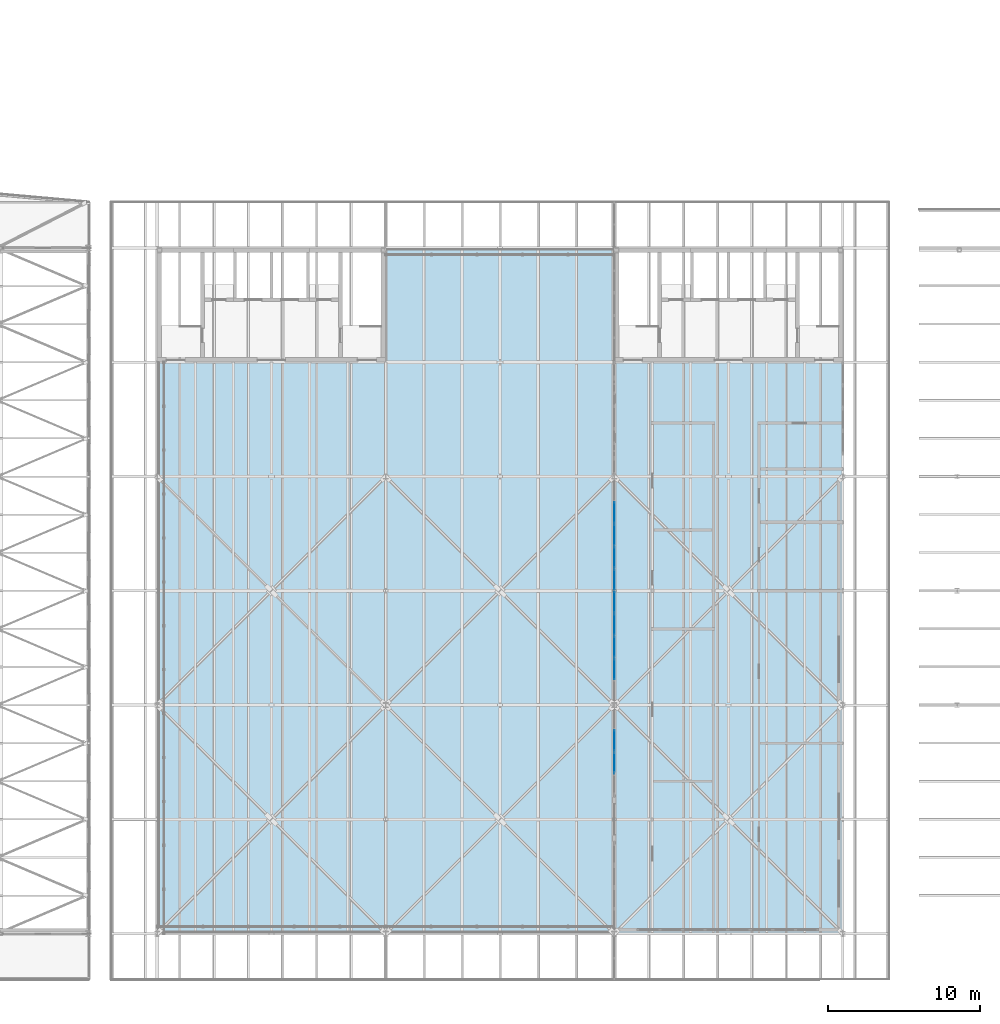
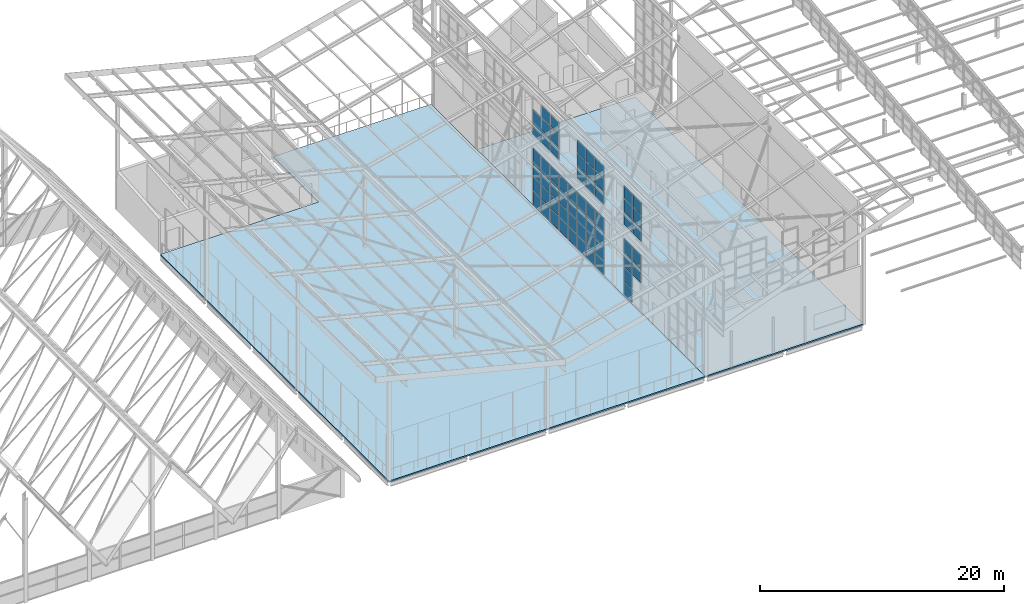
# One storey, part 108 of 483: 61 plates, 2 slabs, 18 elements without a shape of their own.
"""IFC4 building model written with IfcOpenShell, lengths in metres."""

import ifcopenshell
import ifcopenshell.guid

model = None  # the IFC model being written
_history = None  # IfcOwnerHistory: only IFC2X3 demands one
_inside = {}  # id of a spatial element -> (the spatial element, [elements in it])
_under = {}  # id of a project, library or spatial element -> (it, [spatial elements below it])
_declared = {}  # id of a project -> (the project, [libraries it declares])
_typed = {}  # id of a type object -> (the type object, [elements of that type])
_made_of = {}  # id of a material, layer set ... -> (it, [elements and type objects made of it])


def new_model(schema):
    """Start an empty IFC model of exactly this schema.

    Asked for "IFC4X3", IfcOpenShell would pick the latest addendum, in which some entities
    have other attributes; the version numbers below select the first issue.
    IFC2X3 requires an IfcOwnerHistory on every rooted entity: one is made here for all.
    """
    global model, _history
    if schema == "IFC4X3":
        model = ifcopenshell.file(schema_version=(4, 3, 0, 0))
    else:
        model = ifcopenshell.file(schema=schema)
    _inside.clear()
    _under.clear()
    _declared.clear()
    _typed.clear()
    _made_of.clear()
    _history = None
    if model.schema == "IFC2X3":
        org = make("IfcOrganization", Name="unknown")
        user = make(
            "IfcPersonAndOrganization",
            ThePerson=make("IfcPerson", FamilyName="unknown"),
            TheOrganization=org,
        )
        app = make(
            "IfcApplication",
            ApplicationDeveloper=org,
            Version="unknown",
            ApplicationFullName="unknown",
            ApplicationIdentifier="unknown",
        )
        _history = make(
            "IfcOwnerHistory",
            OwningUser=user,
            OwningApplication=app,
            ChangeAction="ADDED",
            CreationDate=0,
        )
    return model


def make(cls, **values):
    """One entity of the class cls with the attributes given. An attribute that is None is left unset."""
    return model.create_entity(
        cls, **{name: value for name, value in values.items() if value is not None}
    )


def rooted(cls, **values):
    """An entity with a GlobalId (a new one), such as an element, a storey or a relation."""
    return make(cls, GlobalId=ifcopenshell.guid.new(), OwnerHistory=_history, **values)


def si_unit(unit_type, name, prefix=None):
    """IfcSIUnit, for example si_unit("LENGTHUNIT", "METRE", prefix="MILLI")."""
    return make("IfcSIUnit", UnitType=unit_type, Prefix=prefix, Name=name)


def assignment(units):
    """IfcUnitAssignment: the units of a project."""
    return None if units is None else make("IfcUnitAssignment", Units=units)


def point(xyz):
    """IfcCartesianPoint."""
    return None if xyz is None else make("IfcCartesianPoint", Coordinates=xyz)


def direction(xyz):
    """IfcDirection."""
    return None if xyz is None else make("IfcDirection", DirectionRatios=xyz)


def frame(location, z_axis=None, x_axis=None):
    """IfcAxis2Placement3D, a coordinate frame: its origin and axes. An axis left out is left unset."""
    return make(
        "IfcAxis2Placement3D",
        Location=point(location),
        Axis=direction(z_axis),
        RefDirection=direction(x_axis),
    )


def frame_2d(location, x_axis=None):
    """IfcAxis2Placement2D, a coordinate frame in the plane: its origin and x axis."""
    return make(
        "IfcAxis2Placement2D", Location=point(location), RefDirection=direction(x_axis)
    )


def origin():
    """The frame at (0, 0, 0) with its axes left unset."""
    return frame((0.0, 0.0, 0.0))


def origin_2d():
    """The frame at (0, 0) in the plane with its x axis left unset."""
    return frame_2d((0.0, 0.0))


def place(relative_to, where):
    """IfcLocalPlacement: puts the frame where relative to a parent placement (None: the world)."""
    return make(
        "IfcLocalPlacement", PlacementRelTo=relative_to, RelativePlacement=where
    )


def context(
    kind, dimensions, precision=None, world=None, true_north=None, identifier=None
):
    """IfcGeometricRepresentationContext, for example the 3D "Model" context."""
    return make(
        "IfcGeometricRepresentationContext",
        ContextIdentifier=identifier,
        ContextType=kind,
        CoordinateSpaceDimension=dimensions,
        Precision=precision,
        WorldCoordinateSystem=world,
        TrueNorth=true_north,
    )


def subcontext(parent, identifier, kind, view, scale=None):
    """IfcGeometricRepresentationSubContext, for example "Body" below "Model"."""
    return make(
        "IfcGeometricRepresentationSubContext",
        ContextIdentifier=identifier,
        ContextType=kind,
        ParentContext=parent,
        TargetScale=scale,
        TargetView=view,
    )


def project(units=None, contexts=None):
    """IfcProject with its units and contexts."""
    return rooted(
        "IfcProject",
        Name="project",
        RepresentationContexts=contexts,
        UnitsInContext=assignment(units),
    )


def spatial(cls, under=None, at=None, **own):
    """A site, building, storey or space (cls), placed at a placement, below another one or the project."""
    s = rooted(cls, ObjectPlacement=at, **own)
    if under is not None:
        _under.setdefault(under.id(), (under, []))[1].append(s)
    return s


def polyline(points):
    """IfcPolyline through the points."""
    return make("IfcPolyline", Points=[point(p) for p in points])


def profile(cls, at=None, kind="AREA", **sizes):
    """A parametric profile (cls). Its sizes go by their IFC names, for example OverallWidth=200.0."""
    return make(cls, ProfileType=kind, Position=at, **sizes)


def rectangle(**sizes):
    """IfcRectangleProfileDef."""
    return profile("IfcRectangleProfileDef", **sizes)


def outline(outer, holes=None, kind="AREA"):
    """IfcArbitraryClosedProfileDef: a profile drawn as a closed curve; with holes, ...WithVoids."""
    if holes is None:
        return make("IfcArbitraryClosedProfileDef", ProfileType=kind, OuterCurve=outer)
    return make(
        "IfcArbitraryProfileDefWithVoids",
        ProfileType=kind,
        OuterCurve=outer,
        InnerCurves=holes,
    )


def extrude(swept, where, along, depth):
    """IfcExtrudedAreaSolid: the profile swept, set in the frame where, extruded along a direction by depth."""
    return make(
        "IfcExtrudedAreaSolid",
        SweptArea=swept,
        Position=where,
        ExtrudedDirection=direction(along),
        Depth=depth,
    )


def shape(context_of_items, identifier, shape_type, items):
    """IfcShapeRepresentation: the items that make up one representation, for example the "Body"."""
    return make(
        "IfcShapeRepresentation",
        ContextOfItems=context_of_items,
        RepresentationIdentifier=identifier,
        RepresentationType=shape_type,
        Items=items,
    )


def material(Name=None, Category=None):
    """IfcMaterial."""
    return make("IfcMaterial", Name=Name, Category=Category)


def layer(
    of_material, thickness, ventilated=None, Name=None, Category=None, Priority=None
):
    """IfcMaterialLayer: one layer of a wall or slab, of a material (None: an air gap)."""
    return make(
        "IfcMaterialLayer",
        Material=of_material,
        LayerThickness=thickness,
        IsVentilated=ventilated,
        Name=Name,
        Category=Category,
        Priority=Priority,
    )


def layer_set(layers, Name=None):
    """IfcMaterialLayerSet."""
    return make("IfcMaterialLayerSet", MaterialLayers=layers, LayerSetName=Name)


def made_of(thing, what):
    """Note that an element or type object is made of a material, layer set ...; save() writes the relation."""
    if what is not None:
        _made_of.setdefault(what.id(), (what, []))[1].append(thing)
    return thing


def type_object(cls, material=None, **own):
    """A type object (cls), such as IfcWallType, which elements share."""
    return made_of(rooted(cls, **own), material)


def element(
    cls,
    number,
    at=None,
    inside=None,
    cuts=None,
    type_object=None,
    material=None,
    context=None,
    identifier="Body",
    shape_type=None,
    held_by="IfcProductDefinitionShape",
    body=None,
    shapes=None,
    **own,
):
    """One element of the class cls, such as IfcWall. Its Tag is "e" and its number.

    at: its placement. inside: the storey or other place that contains it. cuts: it is an
    opening in that element (IfcRelVoidsElement). A single representation is given by context,
    identifier, shape_type and body (its items); several are given by shapes. held_by: the class
    of the entity that holds the representations. save() writes the other relations.
    """
    e = rooted(cls, Tag="e%d" % number, ObjectPlacement=at, **own)
    if body is not None:
        shapes = [shape(context, identifier, shape_type, body)]
    if shapes is not None:
        e.Representation = make(held_by, Representations=shapes)
    if inside is not None:
        _inside.setdefault(inside.id(), (inside, []))[1].append(e)
    if cuts is not None:
        rooted(
            "IfcRelVoidsElement", RelatingBuildingElement=cuts, RelatedOpeningElement=e
        )
    if type_object is not None:
        _typed.setdefault(type_object.id(), (type_object, []))[1].append(e)
    return made_of(e, material)


def aggregate(whole, parts):
    """IfcRelAggregates: a whole, such as a stair, and the parts it consists of."""
    return rooted("IfcRelAggregates", RelatingObject=whole, RelatedObjects=parts)


def save(model, path):
    """Write the relations noted so far, then the file.

    IfcRelAggregates (storeys below a building ...), IfcRelContainedInSpatialStructure (elements
    in a storey), IfcRelDefinesByType, IfcRelAssociatesMaterial and IfcRelDeclares: one each for
    every whole, place, type object, material and project.
    """
    for whole, parts in _under.values():
        aggregate(whole, parts)
    for where, things in _inside.values():
        rooted(
            "IfcRelContainedInSpatialStructure",
            RelatedElements=things,
            RelatingStructure=where,
        )
    for kind, things in _typed.values():
        rooted("IfcRelDefinesByType", RelatedObjects=things, RelatingType=kind)
    for what, things in _made_of.values():
        rooted("IfcRelAssociatesMaterial", RelatedObjects=things, RelatingMaterial=what)
    for by, libraries in _declared.values():
        rooted("IfcRelDeclares", RelatingContext=by, RelatedDefinitions=libraries)
    model.write(path)


model = new_model("IFC4")

# Units and contexts
model_context = context("Model", 3, precision=1e-05, world=origin(), true_north=direction((0.0, 1.0)))
body_context = subcontext(model_context, "Body", "Model", "MODEL_VIEW")
ifc_project = project(units=[si_unit("LENGTHUNIT", "METRE"), si_unit("AREAUNIT", "SQUARE_METRE"), si_unit("VOLUMEUNIT", "CUBIC_METRE"), si_unit("PLANEANGLEUNIT", "RADIAN"), si_unit("MASSUNIT", "GRAM", prefix="KILO")], contexts=[model_context])

# Site, building, storey
site_placement = place(None, origin())
site = spatial("IfcSite", under=ifc_project, at=site_placement, CompositionType="ELEMENT")
building_placement = place(site_placement, origin())
building = spatial("IfcBuilding", under=site, at=building_placement, Name="Parallax Yard Mobility Hub", CompositionType="ELEMENT")
storey_placement = place(building_placement, frame((0.0, 0.0, 13.199951171875)))
storey = spatial("IfcBuildingStorey", under=building, at=storey_placement, Name="L04", CompositionType="ELEMENT", Elevation=13.199951171875)

# Slabs
ifc_material_1 = material(Name="Composite slab: Concrete fc' 28 MPa on 76 mm steel deck", Category="concrete")
ifc_layer_1 = layer(ifc_material_1, 0.139892578125)
ifc_layer_set_1 = layer_set([ifc_layer_1], Name="Composite floor slab 140")
slab_type = type_object("IfcSlabType", Name="Composite floor slab 140", PredefinedType="FLOOR", material=ifc_layer_set_1)
slab_1_placement = place(storey_placement, frame((0.0, 0.0, -0.139892578125)))
element("IfcSlab", 1, at=slab_1_placement, inside=storey, type_object=slab_type, Name="Composite floor slab level L04 of the mobility service centre and workshops (sports courts)", PredefinedType="FLOOR", context=body_context, shape_type="SweptSolid", body=[
    extrude(outline(polyline([(127.5, 45.0), (127.5, 52.5), (112.5, 52.5), (112.5, 45.0), (97.5, 45.0), (97.5, 7.5), (127.5, 7.5), (127.5, 45.0)])), origin(), (0.0, 0.0, 1.0), 0.139892578125),
])
slab_2_placement = place(storey_placement, frame((0.0, 0.0, -0.139892578125)))
element("IfcSlab", 2, at=slab_2_placement, inside=storey, type_object=slab_type, Name="Composite floor slab level L04 of the mobility service centre and workshops (pavilion)", PredefinedType="FLOOR", context=body_context, shape_type="SweptSolid", body=[
    extrude(outline(polyline([(127.5, 45.0), (127.5, 7.5), (142.5, 7.5), (142.5, 45.0), (127.5, 45.0)])), origin(), (0.0, 0.0, 1.0), 0.139892578125),
])

# Curtain wall, plates
ifc_material_2 = material(Name="Thermally broken aluminium curtain wall system", Category="aluminium")
curtain_wall_type_1 = type_object("IfcCurtainWallType", Name="Clerestory glazing run 60 x 120 frame", PredefinedType="NOTDEFINED", material=ifc_material_2)
curtain_wall_1_placement = place(storey_placement, origin())
curtain_wall_1 = element("IfcCurtainWall", 3, at=curtain_wall_1_placement, inside=storey, type_object=curtain_wall_type_1, Name="Clerestory glazing run Rooftop sports deck roof step 1 bay 2 level L04", PredefinedType="NOTDEFINED")
ifc_material_3 = material(Name="Laminated low-E double glazing", Category="glass")
ifc_layer_2 = layer(ifc_material_3, 0.028076171875)
ifc_layer_set_2 = layer_set([ifc_layer_2], Name="Glazing panel 28")
plate_type_1 = type_object("IfcPlateType", Name="Glazing panel 28", PredefinedType="CURTAIN_PANEL", material=ifc_layer_set_2)
plate_1_placement = place(storey_placement, frame((127.5, 18.67333984375, 7.14794921875), z_axis=(0.0, 0.0, 1.0), x_axis=(0.0, 1.0, 0.0)))
plate_1 = element("IfcPlate", 4, at=plate_1_placement, type_object=plate_type_1, Name="CW4 panel 1.1", PredefinedType="CURTAIN_PANEL", context=body_context, shape_type="SweptSolid", body=[
    extrude(rectangle(XDim=1.349365234375, YDim=0.028076171875, at=origin_2d()), origin(), (0.0, 0.0, 1.0), 1.247314453125),
])
plate_2_placement = place(storey_placement, frame((127.5, 18.67333984375, 8.455322265625), z_axis=(0.0, 0.0, 1.0), x_axis=(0.0, 1.0, 0.0)))
plate_2 = element("IfcPlate", 5, at=plate_2_placement, type_object=plate_type_1, Name="CW4 panel 1.2", PredefinedType="CURTAIN_PANEL", context=body_context, shape_type="SweptSolid", body=[
    extrude(rectangle(XDim=1.349365234375, YDim=0.028076171875, at=origin_2d()), origin(), (0.0, 0.0, 1.0), 1.27734375),
])
plate_3_placement = place(storey_placement, frame((127.5, 18.67333984375, 9.79248046875), z_axis=(0.0, 0.0, 1.0), x_axis=(0.0, 1.0, 0.0)))
plate_3 = element("IfcPlate", 6, at=plate_3_placement, type_object=plate_type_1, Name="CW4 panel 1.3", PredefinedType="CURTAIN_PANEL", context=body_context, shape_type="SweptSolid", body=[
    extrude(rectangle(XDim=1.349365234375, YDim=0.028076171875, at=origin_2d()), origin(), (0.0, 0.0, 1.0), 1.247314453125),
])
aggregate(curtain_wall_1, [plate_1, plate_2, plate_3])

curtain_wall_2_placement = place(storey_placement, origin())
curtain_wall_2 = element("IfcCurtainWall", 7, at=curtain_wall_2_placement, inside=storey, type_object=curtain_wall_type_1, Name="Clerestory glazing run Rooftop sports deck roof step 1 bay 2 level L04", PredefinedType="NOTDEFINED")
plate_4_placement = place(storey_placement, frame((127.5, 20.142578125, 7.14794921875), z_axis=(0.0, 0.0, 1.0), x_axis=(0.0, 1.0, 0.0)))
plate_4 = element("IfcPlate", 8, at=plate_4_placement, type_object=plate_type_1, Name="CW4 panel 1.1", PredefinedType="CURTAIN_PANEL", context=body_context, shape_type="SweptSolid", body=[
    extrude(rectangle(XDim=1.349365234375, YDim=0.028076171875, at=origin_2d()), origin(), (0.0, 0.0, 1.0), 1.24267578125),
])
plate_5_placement = place(storey_placement, frame((127.5, 20.142578125, 8.45068359375), z_axis=(0.0, 0.0, 1.0), x_axis=(0.0, 1.0, 0.0)))
plate_5 = element("IfcPlate", 9, at=plate_5_placement, type_object=plate_type_1, Name="CW4 panel 1.2", PredefinedType="CURTAIN_PANEL", context=body_context, shape_type="SweptSolid", body=[
    extrude(rectangle(XDim=1.349365234375, YDim=0.028076171875, at=origin_2d()), origin(), (0.0, 0.0, 1.0), 1.272705078125),
])
plate_6_placement = place(storey_placement, frame((127.5, 20.142578125, 9.783447265625), z_axis=(0.0, 0.0, 1.0), x_axis=(0.0, 1.0, 0.0)))
plate_6 = element("IfcPlate", 10, at=plate_6_placement, type_object=plate_type_1, Name="CW4 panel 1.3", PredefinedType="CURTAIN_PANEL", context=body_context, shape_type="SweptSolid", body=[
    extrude(rectangle(XDim=1.349365234375, YDim=0.028076171875, at=origin_2d()), origin(), (0.0, 0.0, 1.0), 1.24267578125),
])
aggregate(curtain_wall_2, [plate_4, plate_5, plate_6])

curtain_wall_3_placement = place(storey_placement, origin())
curtain_wall_3 = element("IfcCurtainWall", 11, at=curtain_wall_3_placement, inside=storey, type_object=curtain_wall_type_1, Name="Clerestory glazing run Rooftop sports deck roof step 1 bay 3 level L04", PredefinedType="NOTDEFINED")
plate_7_placement = place(storey_placement, frame((127.5, 24.856689453125, 7.14794921875), z_axis=(0.0, 0.0, 1.0), x_axis=(0.0, 1.0, 0.0)))
plate_7 = element("IfcPlate", 12, at=plate_7_placement, type_object=plate_type_1, Name="CW4 panel 1.1", PredefinedType="CURTAIN_PANEL", context=body_context, shape_type="SweptSolid", body=[
    extrude(rectangle(XDim=1.3486328125, YDim=0.028076171875, at=origin_2d()), origin(), (0.0, 0.0, 1.0), 1.226806640625),
])
plate_8_placement = place(storey_placement, frame((127.5, 24.856689453125, 8.4345703125), z_axis=(0.0, 0.0, 1.0), x_axis=(0.0, 1.0, 0.0)))
plate_8 = element("IfcPlate", 13, at=plate_8_placement, type_object=plate_type_1, Name="CW4 panel 1.2", PredefinedType="CURTAIN_PANEL", context=body_context, shape_type="SweptSolid", body=[
    extrude(rectangle(XDim=1.3486328125, YDim=0.028076171875, at=origin_2d()), origin(), (0.0, 0.0, 1.0), 1.2568359375),
])
plate_9_placement = place(storey_placement, frame((127.5, 24.856689453125, 9.75146484375), z_axis=(0.0, 0.0, 1.0), x_axis=(0.0, 1.0, 0.0)))
plate_9 = element("IfcPlate", 14, at=plate_9_placement, type_object=plate_type_1, Name="CW4 panel 1.3", PredefinedType="CURTAIN_PANEL", context=body_context, shape_type="SweptSolid", body=[
    extrude(rectangle(XDim=1.3486328125, YDim=0.028076171875, at=origin_2d()), origin(), (0.0, 0.0, 1.0), 1.226806640625),
])
aggregate(curtain_wall_3, [plate_7, plate_8, plate_9])

curtain_wall_4_placement = place(storey_placement, origin())
curtain_wall_4 = element("IfcCurtainWall", 15, at=curtain_wall_4_placement, inside=storey, type_object=curtain_wall_type_1, Name="Clerestory glazing run Rooftop sports deck roof step 1 bay 3 level L04", PredefinedType="NOTDEFINED")
plate_10_placement = place(storey_placement, frame((127.5, 26.325439453125, 7.147705078125), z_axis=(0.0, 0.0, 1.0), x_axis=(0.0, 1.0, 0.0)))
plate_10 = element("IfcPlate", 16, at=plate_10_placement, type_object=plate_type_1, Name="CW4 panel 1.1", PredefinedType="CURTAIN_PANEL", context=body_context, shape_type="SweptSolid", body=[
    extrude(rectangle(XDim=1.348876953125, YDim=0.028076171875, at=origin_2d()), origin(), (0.0, 0.0, 1.0), 1.22216796875),
])
plate_11_placement = place(storey_placement, frame((127.5, 26.325439453125, 8.429931640625), z_axis=(0.0, 0.0, 1.0), x_axis=(0.0, 1.0, 0.0)))
plate_11 = element("IfcPlate", 17, at=plate_11_placement, type_object=plate_type_1, Name="CW4 panel 1.2", PredefinedType="CURTAIN_PANEL", context=body_context, shape_type="SweptSolid", body=[
    extrude(rectangle(XDim=1.348876953125, YDim=0.028076171875, at=origin_2d()), origin(), (0.0, 0.0, 1.0), 1.251953125),
])
plate_12_placement = place(storey_placement, frame((127.5, 26.325439453125, 9.741943359375), z_axis=(0.0, 0.0, 1.0), x_axis=(0.0, 1.0, 0.0)))
plate_12 = element("IfcPlate", 18, at=plate_12_placement, type_object=plate_type_1, Name="CW4 panel 1.3", PredefinedType="CURTAIN_PANEL", context=body_context, shape_type="SweptSolid", body=[
    extrude(rectangle(XDim=1.348876953125, YDim=0.028076171875, at=origin_2d()), origin(), (0.0, 0.0, 1.0), 1.22216796875),
])
aggregate(curtain_wall_4, [plate_10, plate_11, plate_12])

curtain_wall_5_placement = place(storey_placement, origin())
curtain_wall_5 = element("IfcCurtainWall", 19, at=curtain_wall_5_placement, inside=storey, type_object=curtain_wall_type_1, Name="Clerestory glazing run Rooftop sports deck roof step 1 bay 3 level L04", PredefinedType="NOTDEFINED")
plate_13_placement = place(storey_placement, frame((127.5, 27.794189453125, 7.14794921875), z_axis=(0.0, 0.0, 1.0), x_axis=(0.0, 1.0, 0.0)))
plate_13 = element("IfcPlate", 20, at=plate_13_placement, type_object=plate_type_1, Name="CW4 panel 1.1", PredefinedType="CURTAIN_PANEL", context=body_context, shape_type="SweptSolid", body=[
    extrude(rectangle(XDim=1.3486328125, YDim=0.028076171875, at=origin_2d()), origin(), (0.0, 0.0, 1.0), 1.217041015625),
])
plate_14_placement = place(storey_placement, frame((127.5, 27.794189453125, 8.4248046875), z_axis=(0.0, 0.0, 1.0), x_axis=(0.0, 1.0, 0.0)))
plate_14 = element("IfcPlate", 21, at=plate_14_placement, type_object=plate_type_1, Name="CW4 panel 1.2", PredefinedType="CURTAIN_PANEL", context=body_context, shape_type="SweptSolid", body=[
    extrude(rectangle(XDim=1.3486328125, YDim=0.028076171875, at=origin_2d()), origin(), (0.0, 0.0, 1.0), 1.2470703125),
])
plate_15_placement = place(storey_placement, frame((127.5, 27.794189453125, 9.73193359375), z_axis=(0.0, 0.0, 1.0), x_axis=(0.0, 1.0, 0.0)))
plate_15 = element("IfcPlate", 22, at=plate_15_placement, type_object=plate_type_1, Name="CW4 panel 1.3", PredefinedType="CURTAIN_PANEL", context=body_context, shape_type="SweptSolid", body=[
    extrude(rectangle(XDim=1.3486328125, YDim=0.028076171875, at=origin_2d()), origin(), (0.0, 0.0, 1.0), 1.217041015625),
])
aggregate(curtain_wall_5, [plate_13, plate_14, plate_15])

curtain_wall_6_placement = place(storey_placement, origin())
curtain_wall_6 = element("IfcCurtainWall", 23, at=curtain_wall_6_placement, inside=storey, type_object=curtain_wall_type_1, Name="Clerestory glazing run Rooftop sports deck roof step 1 bay 3 level L04", PredefinedType="NOTDEFINED")
plate_16_placement = place(storey_placement, frame((127.5, 32.200439453125, 7.14794921875), z_axis=(0.0, 0.0, 1.0), x_axis=(0.0, 1.0, 0.0)))
plate_16 = element("IfcPlate", 24, at=plate_16_placement, type_object=plate_type_1, Name="CW4 panel 1.1", PredefinedType="CURTAIN_PANEL", context=body_context, shape_type="SweptSolid", body=[
    extrude(rectangle(XDim=1.348876953125, YDim=0.028076171875, at=origin_2d()), origin(), (0.0, 0.0, 1.0), 1.202392578125),
])
plate_17_placement = place(storey_placement, frame((127.5, 32.200439453125, 8.41015625), z_axis=(0.0, 0.0, 1.0), x_axis=(0.0, 1.0, 0.0)))
plate_17 = element("IfcPlate", 25, at=plate_17_placement, type_object=plate_type_1, Name="CW4 panel 1.2", PredefinedType="CURTAIN_PANEL", context=body_context, shape_type="SweptSolid", body=[
    extrude(rectangle(XDim=1.348876953125, YDim=0.028076171875, at=origin_2d()), origin(), (0.0, 0.0, 1.0), 1.232421875),
])
plate_18_placement = place(storey_placement, frame((127.5, 32.200439453125, 9.70263671875), z_axis=(0.0, 0.0, 1.0), x_axis=(0.0, 1.0, 0.0)))
plate_18 = element("IfcPlate", 26, at=plate_18_placement, type_object=plate_type_1, Name="CW4 panel 1.3", PredefinedType="CURTAIN_PANEL", context=body_context, shape_type="SweptSolid", body=[
    extrude(rectangle(XDim=1.348876953125, YDim=0.028076171875, at=origin_2d()), origin(), (0.0, 0.0, 1.0), 1.202392578125),
])
aggregate(curtain_wall_6, [plate_16, plate_17, plate_18])

curtain_wall_7_placement = place(storey_placement, origin())
curtain_wall_7 = element("IfcCurtainWall", 27, at=curtain_wall_7_placement, inside=storey, type_object=curtain_wall_type_1, Name="Clerestory glazing run Rooftop sports deck roof step 1 bay 3 level L04", PredefinedType="NOTDEFINED")
plate_19_placement = place(storey_placement, frame((127.5, 33.669189453125, 7.14794921875), z_axis=(0.0, 0.0, 1.0), x_axis=(0.0, 1.0, 0.0)))
plate_19 = element("IfcPlate", 28, at=plate_19_placement, type_object=plate_type_1, Name="CW4 panel 1.1", PredefinedType="CURTAIN_PANEL", context=body_context, shape_type="SweptSolid", body=[
    extrude(rectangle(XDim=1.3486328125, YDim=0.028076171875, at=origin_2d()), origin(), (0.0, 0.0, 1.0), 1.197509765625),
])
plate_20_placement = place(storey_placement, frame((127.5, 33.669189453125, 8.4052734375), z_axis=(0.0, 0.0, 1.0), x_axis=(0.0, 1.0, 0.0)))
plate_20 = element("IfcPlate", 29, at=plate_20_placement, type_object=plate_type_1, Name="CW4 panel 1.2", PredefinedType="CURTAIN_PANEL", context=body_context, shape_type="SweptSolid", body=[
    extrude(rectangle(XDim=1.3486328125, YDim=0.028076171875, at=origin_2d()), origin(), (0.0, 0.0, 1.0), 1.227294921875),
])
plate_21_placement = place(storey_placement, frame((127.5, 33.669189453125, 9.6923828125), z_axis=(0.0, 0.0, 1.0), x_axis=(0.0, 1.0, 0.0)))
plate_21 = element("IfcPlate", 30, at=plate_21_placement, type_object=plate_type_1, Name="CW4 panel 1.3", PredefinedType="CURTAIN_PANEL", context=body_context, shape_type="SweptSolid", body=[
    extrude(rectangle(XDim=1.3486328125, YDim=0.028076171875, at=origin_2d()), origin(), (0.0, 0.0, 1.0), 1.197509765625),
])
aggregate(curtain_wall_7, [plate_19, plate_20, plate_21])

curtain_wall_8_placement = place(storey_placement, origin())
curtain_wall_8 = element("IfcCurtainWall", 31, at=curtain_wall_8_placement, inside=storey, type_object=curtain_wall_type_1, Name="Clerestory glazing run Rooftop sports deck roof step 1 bay 3 level L04", PredefinedType="NOTDEFINED")
plate_22_placement = place(storey_placement, frame((127.5, 35.137939453125, 7.14794921875), z_axis=(0.0, 0.0, 1.0), x_axis=(0.0, 1.0, 0.0)))
plate_22 = element("IfcPlate", 32, at=plate_22_placement, type_object=plate_type_1, Name="CW4 panel 1.1", PredefinedType="CURTAIN_PANEL", context=body_context, shape_type="SweptSolid", body=[
    extrude(rectangle(XDim=1.348876953125, YDim=0.028076171875, at=origin_2d()), origin(), (0.0, 0.0, 1.0), 1.192626953125),
])
plate_23_placement = place(storey_placement, frame((127.5, 35.137939453125, 8.400390625), z_axis=(0.0, 0.0, 1.0), x_axis=(0.0, 1.0, 0.0)))
plate_23 = element("IfcPlate", 33, at=plate_23_placement, type_object=plate_type_1, Name="CW4 panel 1.2", PredefinedType="CURTAIN_PANEL", context=body_context, shape_type="SweptSolid", body=[
    extrude(rectangle(XDim=1.348876953125, YDim=0.028076171875, at=origin_2d()), origin(), (0.0, 0.0, 1.0), 1.222900390625),
])
aggregate(curtain_wall_8, [plate_22, plate_23])

curtain_wall_type_2 = type_object("IfcCurtainWallType", Name="Tall curtain wall run 75 x 200 frame", PredefinedType="NOTDEFINED", material=ifc_material_2)
curtain_wall_9_placement = place(storey_placement, origin())
curtain_wall_9 = element("IfcCurtainWall", 34, at=curtain_wall_9_placement, inside=storey, type_object=curtain_wall_type_2, Name="Curtain wall run Rooftop sports deck west bay 1 level L04", PredefinedType="NOTDEFINED")
ifc_layer_3 = layer(ifc_material_3, 0.031982421875)
ifc_layer_set_3 = layer_set([ifc_layer_3], Name="Glazing panel 32")
plate_type_2 = type_object("IfcPlateType", Name="Glazing panel 32", PredefinedType="CURTAIN_PANEL", material=ifc_layer_set_3)
plate_24_placement = place(storey_placement, frame((127.5, 18.7548828125, 2.9375), z_axis=(0.0, 0.0, 1.0), x_axis=(0.0, 1.0, 0.0)))
plate_24 = element("IfcPlate", 35, at=plate_24_placement, type_object=plate_type_2, Name="CW3 panel 1.3", PredefinedType="CURTAIN_PANEL", context=body_context, shape_type="SweptSolid", body=[
    extrude(rectangle(XDim=1.28662109375, YDim=0.031982421875, at=origin_2d()), origin(), (0.0, 0.0, 1.0), 1.375),
])
plate_25_placement = place(storey_placement, frame((127.5, 18.7548828125, 4.3876953125), z_axis=(0.0, 0.0, 1.0), x_axis=(0.0, 1.0, 0.0)))
plate_25 = element("IfcPlate", 36, at=plate_25_placement, type_object=plate_type_2, Name="CW3 panel 1.4", PredefinedType="CURTAIN_PANEL", context=body_context, shape_type="SweptSolid", body=[
    extrude(rectangle(XDim=1.28662109375, YDim=0.031982421875, at=origin_2d()), origin(), (0.0, 0.0, 1.0), 1.33740234375),
])
aggregate(curtain_wall_9, [plate_24, plate_25])

curtain_wall_10_placement = place(storey_placement, origin())
curtain_wall_10 = element("IfcCurtainWall", 37, at=curtain_wall_10_placement, inside=storey, type_object=curtain_wall_type_2, Name="Curtain wall run Rooftop sports deck west bay 1 level L04", PredefinedType="NOTDEFINED")
plate_26_placement = place(storey_placement, frame((127.5, 20.191650390625, 0.0751953125), z_axis=(0.0, 0.0, 1.0), x_axis=(0.0, 1.0, 0.0)))
plate_26 = element("IfcPlate", 38, at=plate_26_placement, type_object=plate_type_2, Name="CW3 panel 1.1", PredefinedType="CURTAIN_PANEL", context=body_context, shape_type="SweptSolid", body=[
    extrude(rectangle(XDim=1.28662109375, YDim=0.031982421875, at=origin_2d()), origin(), (0.0, 0.0, 1.0), 1.33740234375),
])
plate_27_placement = place(storey_placement, frame((127.5, 20.191650390625, 1.487548828125), z_axis=(0.0, 0.0, 1.0), x_axis=(0.0, 1.0, 0.0)))
plate_27 = element("IfcPlate", 39, at=plate_27_placement, type_object=plate_type_2, Name="CW3 panel 1.2", PredefinedType="CURTAIN_PANEL", context=body_context, shape_type="SweptSolid", body=[
    extrude(rectangle(XDim=1.28662109375, YDim=0.031982421875, at=origin_2d()), origin(), (0.0, 0.0, 1.0), 1.375),
])
plate_28_placement = place(storey_placement, frame((127.5, 20.191650390625, 2.9375), z_axis=(0.0, 0.0, 1.0), x_axis=(0.0, 1.0, 0.0)))
plate_28 = element("IfcPlate", 40, at=plate_28_placement, type_object=plate_type_2, Name="CW3 panel 1.3", PredefinedType="CURTAIN_PANEL", context=body_context, shape_type="SweptSolid", body=[
    extrude(rectangle(XDim=1.28662109375, YDim=0.031982421875, at=origin_2d()), origin(), (0.0, 0.0, 1.0), 1.375),
])
plate_29_placement = place(storey_placement, frame((127.5, 20.191650390625, 4.3876953125), z_axis=(0.0, 0.0, 1.0), x_axis=(0.0, 1.0, 0.0)))
plate_29 = element("IfcPlate", 41, at=plate_29_placement, type_object=plate_type_2, Name="CW3 panel 1.4", PredefinedType="CURTAIN_PANEL", context=body_context, shape_type="SweptSolid", body=[
    extrude(rectangle(XDim=1.28662109375, YDim=0.031982421875, at=origin_2d()), origin(), (0.0, 0.0, 1.0), 1.33740234375),
])
aggregate(curtain_wall_10, [plate_26, plate_27, plate_28, plate_29])

curtain_wall_11_placement = place(storey_placement, origin())
curtain_wall_11 = element("IfcCurtainWall", 42, at=curtain_wall_11_placement, inside=storey, type_object=curtain_wall_type_2, Name="Curtain wall run Rooftop sports deck west bay 2 level L04", PredefinedType="NOTDEFINED")
plate_30_placement = place(storey_placement, frame((127.5, 24.856689453125, 0.0751953125), z_axis=(0.0, 0.0, 1.0), x_axis=(0.0, 1.0, 0.0)))
plate_30 = element("IfcPlate", 43, at=plate_30_placement, type_object=plate_type_2, Name="CW3 panel 1.1", PredefinedType="CURTAIN_PANEL", context=body_context, shape_type="SweptSolid", body=[
    extrude(rectangle(XDim=1.318603515625, YDim=0.031982421875, at=origin_2d()), origin(), (0.0, 0.0, 1.0), 1.33740234375),
])
plate_31_placement = place(storey_placement, frame((127.5, 24.856689453125, 1.487548828125), z_axis=(0.0, 0.0, 1.0), x_axis=(0.0, 1.0, 0.0)))
plate_31 = element("IfcPlate", 44, at=plate_31_placement, type_object=plate_type_2, Name="CW3 panel 1.2", PredefinedType="CURTAIN_PANEL", context=body_context, shape_type="SweptSolid", body=[
    extrude(rectangle(XDim=1.318603515625, YDim=0.031982421875, at=origin_2d()), origin(), (0.0, 0.0, 1.0), 1.375),
])
plate_32_placement = place(storey_placement, frame((127.5, 24.856689453125, 2.9375), z_axis=(0.0, 0.0, 1.0), x_axis=(0.0, 1.0, 0.0)))
plate_32 = element("IfcPlate", 45, at=plate_32_placement, type_object=plate_type_2, Name="CW3 panel 1.3", PredefinedType="CURTAIN_PANEL", context=body_context, shape_type="SweptSolid", body=[
    extrude(rectangle(XDim=1.318603515625, YDim=0.031982421875, at=origin_2d()), origin(), (0.0, 0.0, 1.0), 1.375),
])
plate_33_placement = place(storey_placement, frame((127.5, 24.856689453125, 4.3876953125), z_axis=(0.0, 0.0, 1.0), x_axis=(0.0, 1.0, 0.0)))
plate_33 = element("IfcPlate", 46, at=plate_33_placement, type_object=plate_type_2, Name="CW3 panel 1.4", PredefinedType="CURTAIN_PANEL", context=body_context, shape_type="SweptSolid", body=[
    extrude(rectangle(XDim=1.318603515625, YDim=0.031982421875, at=origin_2d()), origin(), (0.0, 0.0, 1.0), 1.33740234375),
])
aggregate(curtain_wall_11, [plate_30, plate_31, plate_32, plate_33])

curtain_wall_12_placement = place(storey_placement, origin())
curtain_wall_12 = element("IfcCurtainWall", 47, at=curtain_wall_12_placement, inside=storey, type_object=curtain_wall_type_2, Name="Curtain wall run Rooftop sports deck west bay 2 level L04", PredefinedType="NOTDEFINED")
plate_34_placement = place(storey_placement, frame((127.5, 26.325439453125, 0.0751953125), z_axis=(0.0, 0.0, 1.0), x_axis=(0.0, 1.0, 0.0)))
plate_34 = element("IfcPlate", 48, at=plate_34_placement, type_object=plate_type_2, Name="CW3 panel 1.1", PredefinedType="CURTAIN_PANEL", context=body_context, shape_type="SweptSolid", body=[
    extrude(rectangle(XDim=1.31884765625, YDim=0.031982421875, at=origin_2d()), origin(), (0.0, 0.0, 1.0), 1.33740234375),
])
plate_35_placement = place(storey_placement, frame((127.5, 26.325439453125, 1.487548828125), z_axis=(0.0, 0.0, 1.0), x_axis=(0.0, 1.0, 0.0)))
plate_35 = element("IfcPlate", 49, at=plate_35_placement, type_object=plate_type_2, Name="CW3 panel 1.2", PredefinedType="CURTAIN_PANEL", context=body_context, shape_type="SweptSolid", body=[
    extrude(rectangle(XDim=1.31884765625, YDim=0.031982421875, at=origin_2d()), origin(), (0.0, 0.0, 1.0), 1.375),
])
plate_36_placement = place(storey_placement, frame((127.5, 26.325439453125, 2.9375), z_axis=(0.0, 0.0, 1.0), x_axis=(0.0, 1.0, 0.0)))
plate_36 = element("IfcPlate", 50, at=plate_36_placement, type_object=plate_type_2, Name="CW3 panel 1.3", PredefinedType="CURTAIN_PANEL", context=body_context, shape_type="SweptSolid", body=[
    extrude(rectangle(XDim=1.31884765625, YDim=0.031982421875, at=origin_2d()), origin(), (0.0, 0.0, 1.0), 1.375),
])
plate_37_placement = place(storey_placement, frame((127.5, 26.325439453125, 4.3876953125), z_axis=(0.0, 0.0, 1.0), x_axis=(0.0, 1.0, 0.0)))
plate_37 = element("IfcPlate", 51, at=plate_37_placement, type_object=plate_type_2, Name="CW3 panel 1.4", PredefinedType="CURTAIN_PANEL", context=body_context, shape_type="SweptSolid", body=[
    extrude(rectangle(XDim=1.31884765625, YDim=0.031982421875, at=origin_2d()), origin(), (0.0, 0.0, 1.0), 1.33740234375),
])
aggregate(curtain_wall_12, [plate_34, plate_35, plate_36, plate_37])

curtain_wall_13_placement = place(storey_placement, origin())
curtain_wall_13 = element("IfcCurtainWall", 52, at=curtain_wall_13_placement, inside=storey, type_object=curtain_wall_type_2, Name="Curtain wall run Rooftop sports deck west bay 2 level L04", PredefinedType="NOTDEFINED")
plate_38_placement = place(storey_placement, frame((127.5, 27.794189453125, 0.0751953125), z_axis=(0.0, 0.0, 1.0), x_axis=(0.0, 1.0, 0.0)))
plate_38 = element("IfcPlate", 53, at=plate_38_placement, type_object=plate_type_2, Name="CW3 panel 1.1", PredefinedType="CURTAIN_PANEL", context=body_context, shape_type="SweptSolid", body=[
    extrude(rectangle(XDim=1.318603515625, YDim=0.031982421875, at=origin_2d()), origin(), (0.0, 0.0, 1.0), 1.33740234375),
])
plate_39_placement = place(storey_placement, frame((127.5, 27.794189453125, 1.487548828125), z_axis=(0.0, 0.0, 1.0), x_axis=(0.0, 1.0, 0.0)))
plate_39 = element("IfcPlate", 54, at=plate_39_placement, type_object=plate_type_2, Name="CW3 panel 1.2", PredefinedType="CURTAIN_PANEL", context=body_context, shape_type="SweptSolid", body=[
    extrude(rectangle(XDim=1.318603515625, YDim=0.031982421875, at=origin_2d()), origin(), (0.0, 0.0, 1.0), 1.375),
])
plate_40_placement = place(storey_placement, frame((127.5, 27.794189453125, 2.9375), z_axis=(0.0, 0.0, 1.0), x_axis=(0.0, 1.0, 0.0)))
plate_40 = element("IfcPlate", 55, at=plate_40_placement, type_object=plate_type_2, Name="CW3 panel 1.3", PredefinedType="CURTAIN_PANEL", context=body_context, shape_type="SweptSolid", body=[
    extrude(rectangle(XDim=1.318603515625, YDim=0.031982421875, at=origin_2d()), origin(), (0.0, 0.0, 1.0), 1.375),
])
plate_41_placement = place(storey_placement, frame((127.5, 27.794189453125, 4.3876953125), z_axis=(0.0, 0.0, 1.0), x_axis=(0.0, 1.0, 0.0)))
plate_41 = element("IfcPlate", 56, at=plate_41_placement, type_object=plate_type_2, Name="CW3 panel 1.4", PredefinedType="CURTAIN_PANEL", context=body_context, shape_type="SweptSolid", body=[
    extrude(rectangle(XDim=1.318603515625, YDim=0.031982421875, at=origin_2d()), origin(), (0.0, 0.0, 1.0), 1.33740234375),
])
aggregate(curtain_wall_13, [plate_38, plate_39, plate_40, plate_41])

curtain_wall_14_placement = place(storey_placement, origin())
curtain_wall_14 = element("IfcCurtainWall", 57, at=curtain_wall_14_placement, inside=storey, type_object=curtain_wall_type_2, Name="Curtain wall run Rooftop sports deck west bay 2 level L04", PredefinedType="NOTDEFINED")
plate_42_placement = place(storey_placement, frame((127.5, 29.262939453125, 0.0751953125), z_axis=(0.0, 0.0, 1.0), x_axis=(0.0, 1.0, 0.0)))
plate_42 = element("IfcPlate", 58, at=plate_42_placement, type_object=plate_type_2, Name="CW3 panel 1.1", PredefinedType="CURTAIN_PANEL", context=body_context, shape_type="SweptSolid", body=[
    extrude(rectangle(XDim=1.31884765625, YDim=0.031982421875, at=origin_2d()), origin(), (0.0, 0.0, 1.0), 1.33740234375),
])
plate_43_placement = place(storey_placement, frame((127.5, 29.262939453125, 1.487548828125), z_axis=(0.0, 0.0, 1.0), x_axis=(0.0, 1.0, 0.0)))
plate_43 = element("IfcPlate", 59, at=plate_43_placement, type_object=plate_type_2, Name="CW3 panel 1.2", PredefinedType="CURTAIN_PANEL", context=body_context, shape_type="SweptSolid", body=[
    extrude(rectangle(XDim=1.31884765625, YDim=0.031982421875, at=origin_2d()), origin(), (0.0, 0.0, 1.0), 1.375),
])
plate_44_placement = place(storey_placement, frame((127.5, 29.262939453125, 2.9375), z_axis=(0.0, 0.0, 1.0), x_axis=(0.0, 1.0, 0.0)))
plate_44 = element("IfcPlate", 60, at=plate_44_placement, type_object=plate_type_2, Name="CW3 panel 1.3", PredefinedType="CURTAIN_PANEL", context=body_context, shape_type="SweptSolid", body=[
    extrude(rectangle(XDim=1.31884765625, YDim=0.031982421875, at=origin_2d()), origin(), (0.0, 0.0, 1.0), 1.375),
])
plate_45_placement = place(storey_placement, frame((127.5, 29.262939453125, 4.3876953125), z_axis=(0.0, 0.0, 1.0), x_axis=(0.0, 1.0, 0.0)))
plate_45 = element("IfcPlate", 61, at=plate_45_placement, type_object=plate_type_2, Name="CW3 panel 1.4", PredefinedType="CURTAIN_PANEL", context=body_context, shape_type="SweptSolid", body=[
    extrude(rectangle(XDim=1.31884765625, YDim=0.031982421875, at=origin_2d()), origin(), (0.0, 0.0, 1.0), 1.33740234375),
])
aggregate(curtain_wall_14, [plate_42, plate_43, plate_44, plate_45])

curtain_wall_15_placement = place(storey_placement, origin())
curtain_wall_15 = element("IfcCurtainWall", 62, at=curtain_wall_15_placement, inside=storey, type_object=curtain_wall_type_2, Name="Curtain wall run Rooftop sports deck west bay 2 level L04", PredefinedType="NOTDEFINED")
plate_46_placement = place(storey_placement, frame((127.5, 30.731689453125, 0.0751953125), z_axis=(0.0, 0.0, 1.0), x_axis=(0.0, 1.0, 0.0)))
plate_46 = element("IfcPlate", 63, at=plate_46_placement, type_object=plate_type_2, Name="CW3 panel 1.1", PredefinedType="CURTAIN_PANEL", context=body_context, shape_type="SweptSolid", body=[
    extrude(rectangle(XDim=1.318603515625, YDim=0.031982421875, at=origin_2d()), origin(), (0.0, 0.0, 1.0), 1.33740234375),
])
plate_47_placement = place(storey_placement, frame((127.5, 30.731689453125, 1.487548828125), z_axis=(0.0, 0.0, 1.0), x_axis=(0.0, 1.0, 0.0)))
plate_47 = element("IfcPlate", 64, at=plate_47_placement, type_object=plate_type_2, Name="CW3 panel 1.2", PredefinedType="CURTAIN_PANEL", context=body_context, shape_type="SweptSolid", body=[
    extrude(rectangle(XDim=1.318603515625, YDim=0.031982421875, at=origin_2d()), origin(), (0.0, 0.0, 1.0), 1.375),
])
plate_48_placement = place(storey_placement, frame((127.5, 30.731689453125, 2.9375), z_axis=(0.0, 0.0, 1.0), x_axis=(0.0, 1.0, 0.0)))
plate_48 = element("IfcPlate", 65, at=plate_48_placement, type_object=plate_type_2, Name="CW3 panel 1.3", PredefinedType="CURTAIN_PANEL", context=body_context, shape_type="SweptSolid", body=[
    extrude(rectangle(XDim=1.318603515625, YDim=0.031982421875, at=origin_2d()), origin(), (0.0, 0.0, 1.0), 1.375),
])
plate_49_placement = place(storey_placement, frame((127.5, 30.731689453125, 4.3876953125), z_axis=(0.0, 0.0, 1.0), x_axis=(0.0, 1.0, 0.0)))
plate_49 = element("IfcPlate", 66, at=plate_49_placement, type_object=plate_type_2, Name="CW3 panel 1.4", PredefinedType="CURTAIN_PANEL", context=body_context, shape_type="SweptSolid", body=[
    extrude(rectangle(XDim=1.318603515625, YDim=0.031982421875, at=origin_2d()), origin(), (0.0, 0.0, 1.0), 1.33740234375),
])
aggregate(curtain_wall_15, [plate_46, plate_47, plate_48, plate_49])

curtain_wall_16_placement = place(storey_placement, origin())
curtain_wall_16 = element("IfcCurtainWall", 67, at=curtain_wall_16_placement, inside=storey, type_object=curtain_wall_type_2, Name="Curtain wall run Rooftop sports deck west bay 2 level L04", PredefinedType="NOTDEFINED")
plate_50_placement = place(storey_placement, frame((127.5, 32.200439453125, 0.0751953125), z_axis=(0.0, 0.0, 1.0), x_axis=(0.0, 1.0, 0.0)))
plate_50 = element("IfcPlate", 68, at=plate_50_placement, type_object=plate_type_2, Name="CW3 panel 1.1", PredefinedType="CURTAIN_PANEL", context=body_context, shape_type="SweptSolid", body=[
    extrude(rectangle(XDim=1.31884765625, YDim=0.031982421875, at=origin_2d()), origin(), (0.0, 0.0, 1.0), 1.33740234375),
])
plate_51_placement = place(storey_placement, frame((127.5, 32.200439453125, 1.487548828125), z_axis=(0.0, 0.0, 1.0), x_axis=(0.0, 1.0, 0.0)))
plate_51 = element("IfcPlate", 69, at=plate_51_placement, type_object=plate_type_2, Name="CW3 panel 1.2", PredefinedType="CURTAIN_PANEL", context=body_context, shape_type="SweptSolid", body=[
    extrude(rectangle(XDim=1.31884765625, YDim=0.031982421875, at=origin_2d()), origin(), (0.0, 0.0, 1.0), 1.375),
])
plate_52_placement = place(storey_placement, frame((127.5, 32.200439453125, 2.9375), z_axis=(0.0, 0.0, 1.0), x_axis=(0.0, 1.0, 0.0)))
plate_52 = element("IfcPlate", 70, at=plate_52_placement, type_object=plate_type_2, Name="CW3 panel 1.3", PredefinedType="CURTAIN_PANEL", context=body_context, shape_type="SweptSolid", body=[
    extrude(rectangle(XDim=1.31884765625, YDim=0.031982421875, at=origin_2d()), origin(), (0.0, 0.0, 1.0), 1.375),
])
plate_53_placement = place(storey_placement, frame((127.5, 32.200439453125, 4.3876953125), z_axis=(0.0, 0.0, 1.0), x_axis=(0.0, 1.0, 0.0)))
plate_53 = element("IfcPlate", 71, at=plate_53_placement, type_object=plate_type_2, Name="CW3 panel 1.4", PredefinedType="CURTAIN_PANEL", context=body_context, shape_type="SweptSolid", body=[
    extrude(rectangle(XDim=1.31884765625, YDim=0.031982421875, at=origin_2d()), origin(), (0.0, 0.0, 1.0), 1.33740234375),
])
aggregate(curtain_wall_16, [plate_50, plate_51, plate_52, plate_53])

curtain_wall_17_placement = place(storey_placement, origin())
curtain_wall_17 = element("IfcCurtainWall", 72, at=curtain_wall_17_placement, inside=storey, type_object=curtain_wall_type_2, Name="Curtain wall run Rooftop sports deck west bay 2 level L04", PredefinedType="NOTDEFINED")
plate_54_placement = place(storey_placement, frame((127.5, 33.669189453125, 0.0751953125), z_axis=(0.0, 0.0, 1.0), x_axis=(0.0, 1.0, 0.0)))
plate_54 = element("IfcPlate", 73, at=plate_54_placement, type_object=plate_type_2, Name="CW3 panel 1.1", PredefinedType="CURTAIN_PANEL", context=body_context, shape_type="SweptSolid", body=[
    extrude(rectangle(XDim=1.318603515625, YDim=0.031982421875, at=origin_2d()), origin(), (0.0, 0.0, 1.0), 1.33740234375),
])
plate_55_placement = place(storey_placement, frame((127.5, 33.669189453125, 1.487548828125), z_axis=(0.0, 0.0, 1.0), x_axis=(0.0, 1.0, 0.0)))
plate_55 = element("IfcPlate", 74, at=plate_55_placement, type_object=plate_type_2, Name="CW3 panel 1.2", PredefinedType="CURTAIN_PANEL", context=body_context, shape_type="SweptSolid", body=[
    extrude(rectangle(XDim=1.318603515625, YDim=0.031982421875, at=origin_2d()), origin(), (0.0, 0.0, 1.0), 1.375),
])
plate_56_placement = place(storey_placement, frame((127.5, 33.669189453125, 2.9375), z_axis=(0.0, 0.0, 1.0), x_axis=(0.0, 1.0, 0.0)))
plate_56 = element("IfcPlate", 75, at=plate_56_placement, type_object=plate_type_2, Name="CW3 panel 1.3", PredefinedType="CURTAIN_PANEL", context=body_context, shape_type="SweptSolid", body=[
    extrude(rectangle(XDim=1.318603515625, YDim=0.031982421875, at=origin_2d()), origin(), (0.0, 0.0, 1.0), 1.375),
])
plate_57_placement = place(storey_placement, frame((127.5, 33.669189453125, 4.3876953125), z_axis=(0.0, 0.0, 1.0), x_axis=(0.0, 1.0, 0.0)))
plate_57 = element("IfcPlate", 76, at=plate_57_placement, type_object=plate_type_2, Name="CW3 panel 1.4", PredefinedType="CURTAIN_PANEL", context=body_context, shape_type="SweptSolid", body=[
    extrude(rectangle(XDim=1.318603515625, YDim=0.031982421875, at=origin_2d()), origin(), (0.0, 0.0, 1.0), 1.33740234375),
])
aggregate(curtain_wall_17, [plate_54, plate_55, plate_56, plate_57])

curtain_wall_18_placement = place(storey_placement, origin())
curtain_wall_18 = element("IfcCurtainWall", 77, at=curtain_wall_18_placement, inside=storey, type_object=curtain_wall_type_2, Name="Curtain wall run Rooftop sports deck west bay 2 level L04", PredefinedType="NOTDEFINED")
plate_58_placement = place(storey_placement, frame((127.5, 35.137939453125, 0.0751953125), z_axis=(0.0, 0.0, 1.0), x_axis=(0.0, 1.0, 0.0)))
plate_58 = element("IfcPlate", 78, at=plate_58_placement, type_object=plate_type_2, Name="CW3 panel 1.1", PredefinedType="CURTAIN_PANEL", context=body_context, shape_type="SweptSolid", body=[
    extrude(rectangle(XDim=1.31884765625, YDim=0.031982421875, at=origin_2d()), origin(), (0.0, 0.0, 1.0), 1.33740234375),
])
plate_59_placement = place(storey_placement, frame((127.5, 35.137939453125, 1.487548828125), z_axis=(0.0, 0.0, 1.0), x_axis=(0.0, 1.0, 0.0)))
plate_59 = element("IfcPlate", 79, at=plate_59_placement, type_object=plate_type_2, Name="CW3 panel 1.2", PredefinedType="CURTAIN_PANEL", context=body_context, shape_type="SweptSolid", body=[
    extrude(rectangle(XDim=1.31884765625, YDim=0.031982421875, at=origin_2d()), origin(), (0.0, 0.0, 1.0), 1.375),
])
plate_60_placement = place(storey_placement, frame((127.5, 35.137939453125, 2.9375), z_axis=(0.0, 0.0, 1.0), x_axis=(0.0, 1.0, 0.0)))
plate_60 = element("IfcPlate", 80, at=plate_60_placement, type_object=plate_type_2, Name="CW3 panel 1.3", PredefinedType="CURTAIN_PANEL", context=body_context, shape_type="SweptSolid", body=[
    extrude(rectangle(XDim=1.31884765625, YDim=0.031982421875, at=origin_2d()), origin(), (0.0, 0.0, 1.0), 1.375),
])
plate_61_placement = place(storey_placement, frame((127.5, 35.137939453125, 4.3876953125), z_axis=(0.0, 0.0, 1.0), x_axis=(0.0, 1.0, 0.0)))
plate_61 = element("IfcPlate", 81, at=plate_61_placement, type_object=plate_type_2, Name="CW3 panel 1.4", PredefinedType="CURTAIN_PANEL", context=body_context, shape_type="SweptSolid", body=[
    extrude(rectangle(XDim=1.31884765625, YDim=0.031982421875, at=origin_2d()), origin(), (0.0, 0.0, 1.0), 1.33740234375),
])
aggregate(curtain_wall_18, [plate_58, plate_59, plate_60, plate_61])

save(model, "model.ifc")
